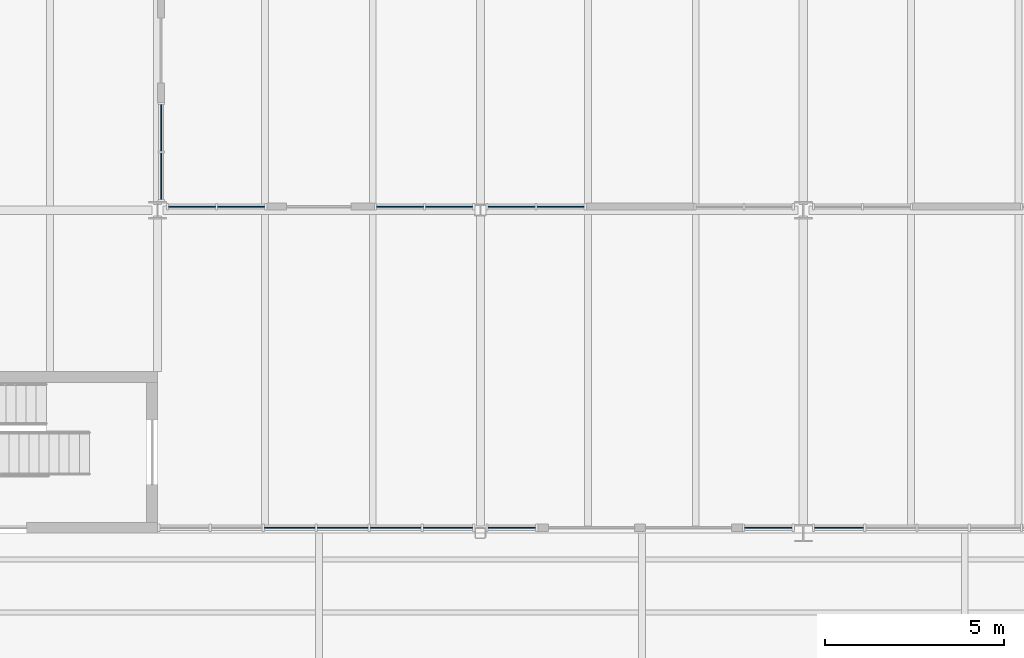
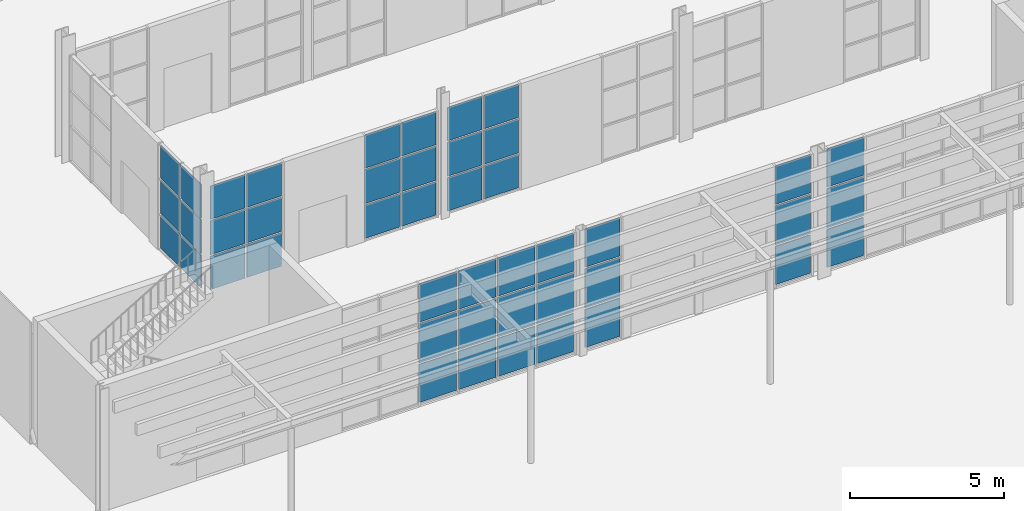
# One storey, part 29 of 63: 45 plates, 8 elements without a shape of their own.
"""IFC4 building model written with IfcOpenShell, lengths in metres."""

from ifc_helpers import new_model, si_unit, direction, frame, origin, origin_2d, place, context, subcontext, project, spatial, rectangle, extrude, material, layer, layer_set, type_object, element, aggregate, save


model = new_model("IFC4")

# Units and contexts
model_context = context("Model", 3, precision=1e-05, world=origin(), true_north=direction((0.0, 1.0)))
body_context = subcontext(model_context, "Body", "Model", "MODEL_VIEW")
ifc_project = project(units=[si_unit("LENGTHUNIT", "METRE"), si_unit("AREAUNIT", "SQUARE_METRE"), si_unit("VOLUMEUNIT", "CUBIC_METRE"), si_unit("PLANEANGLEUNIT", "RADIAN"), si_unit("MASSUNIT", "GRAM", prefix="KILO")], contexts=[model_context])

# Site, building, storey
site_placement = place(None, origin())
site = spatial("IfcSite", under=ifc_project, at=site_placement, CompositionType="ELEMENT")
building_placement = place(site_placement, origin())
building = spatial("IfcBuilding", under=site, at=building_placement, Name="Halyard Row Museum", CompositionType="ELEMENT")
storey_placement = place(building_placement, origin())
storey = spatial("IfcBuildingStorey", under=building, at=storey_placement, Name="L00", CompositionType="ELEMENT", Elevation=0.0)

# Curtain wall, plates
ifc_material_1 = material(Name="Double glazed unit, low-emissivity", Category="glass")
ifc_layer_1 = layer(ifc_material_1, 0.199951171875)
ifc_layer_set_1 = layer_set([ifc_layer_1], Name="Double glazed unit, low-emissivity")
curtain_wall_type_1 = type_object("IfcCurtainWallType", Name="Curtain wall shopfront 200 deep", PredefinedType="NOTDEFINED", material=ifc_layer_set_1)
curtain_wall_1_placement = place(storey_placement, origin())
curtain_wall_1 = element("IfcCurtainWall", 1, at=curtain_wall_1_placement, inside=storey, type_object=curtain_wall_type_1, Name="Curtain wall CW013", PredefinedType="NOTDEFINED")
ifc_material_2 = material(Name="Double glazed unit, low-emissivity", Category="glass")
ifc_layer_2 = layer(ifc_material_2, 0.031982421875)
ifc_layer_set_2 = layer_set([ifc_layer_2], Name="Double glazed unit, low-emissivity")
plate_type_1 = type_object("IfcPlateType", Name="Curtain wall glazed panel CP1 32", PredefinedType="CURTAIN_PANEL", material=ifc_layer_set_2)
plate_1_placement = place(storey_placement, frame((39.6875, 18.14990234375, 0.06494140625), z_axis=(0.0, 0.0, 1.0), x_axis=(1.0, 0.0, 0.0)))
plate_1 = element("IfcPlate", 2, at=plate_1_placement, type_object=plate_type_1, Name="CW013 panel 3.1", PredefinedType="CURTAIN_PANEL", context=body_context, shape_type="SweptSolid", body=[
    extrude(rectangle(XDim=1.409912109375, YDim=0.031982421875, at=origin_2d()), origin(), (0.0, 0.0, 1.0), 1.51416015625),
])
plate_2_placement = place(storey_placement, frame((39.6875, 18.14990234375, 1.64404296875), z_axis=(0.0, 0.0, 1.0), x_axis=(1.0, 0.0, 0.0)))
plate_2 = element("IfcPlate", 3, at=plate_2_placement, type_object=plate_type_1, Name="CW013 panel 3.2", PredefinedType="CURTAIN_PANEL", context=body_context, shape_type="SweptSolid", body=[
    extrude(rectangle(XDim=1.409912109375, YDim=0.031982421875, at=origin_2d()), origin(), (0.0, 0.0, 1.0), 1.546630859375),
])
plate_3_placement = place(storey_placement, frame((39.6875, 18.14990234375, 3.255859375), z_axis=(0.0, 0.0, 1.0), x_axis=(1.0, 0.0, 0.0)))
plate_3 = element("IfcPlate", 4, at=plate_3_placement, type_object=plate_type_1, Name="CW013 panel 3.3", PredefinedType="CURTAIN_PANEL", context=body_context, shape_type="SweptSolid", body=[
    extrude(rectangle(XDim=1.409912109375, YDim=0.031982421875, at=origin_2d()), origin(), (0.0, 0.0, 1.0), 1.51416015625),
])
plate_4_placement = place(storey_placement, frame((41.16259765625, 18.14990234375, 0.06494140625), z_axis=(0.0, 0.0, 1.0), x_axis=(1.0, 0.0, 0.0)))
plate_4 = element("IfcPlate", 5, at=plate_4_placement, type_object=plate_type_1, Name="CW013 panel 4.1", PredefinedType="CURTAIN_PANEL", context=body_context, shape_type="SweptSolid", body=[
    extrude(rectangle(XDim=1.409912109375, YDim=0.031982421875, at=origin_2d()), origin(), (0.0, 0.0, 1.0), 1.51416015625),
])
plate_5_placement = place(storey_placement, frame((41.16259765625, 18.14990234375, 1.64404296875), z_axis=(0.0, 0.0, 1.0), x_axis=(1.0, 0.0, 0.0)))
plate_5 = element("IfcPlate", 6, at=plate_5_placement, type_object=plate_type_1, Name="CW013 panel 4.2", PredefinedType="CURTAIN_PANEL", context=body_context, shape_type="SweptSolid", body=[
    extrude(rectangle(XDim=1.409912109375, YDim=0.031982421875, at=origin_2d()), origin(), (0.0, 0.0, 1.0), 1.546630859375),
])
plate_6_placement = place(storey_placement, frame((41.16259765625, 18.14990234375, 3.255859375), z_axis=(0.0, 0.0, 1.0), x_axis=(1.0, 0.0, 0.0)))
plate_6 = element("IfcPlate", 7, at=plate_6_placement, type_object=plate_type_1, Name="CW013 panel 4.3", PredefinedType="CURTAIN_PANEL", context=body_context, shape_type="SweptSolid", body=[
    extrude(rectangle(XDim=1.409912109375, YDim=0.031982421875, at=origin_2d()), origin(), (0.0, 0.0, 1.0), 1.51416015625),
])
plate_7_placement = place(storey_placement, frame((42.637451171875, 18.14990234375, 0.06494140625), z_axis=(0.0, 0.0, 1.0), x_axis=(1.0, 0.0, 0.0)))
plate_7 = element("IfcPlate", 8, at=plate_7_placement, type_object=plate_type_1, Name="CW013 panel 5.1", PredefinedType="CURTAIN_PANEL", context=body_context, shape_type="SweptSolid", body=[
    extrude(rectangle(XDim=1.409912109375, YDim=0.031982421875, at=origin_2d()), origin(), (0.0, 0.0, 1.0), 1.51416015625),
])
plate_8_placement = place(storey_placement, frame((42.637451171875, 18.14990234375, 1.64404296875), z_axis=(0.0, 0.0, 1.0), x_axis=(1.0, 0.0, 0.0)))
plate_8 = element("IfcPlate", 9, at=plate_8_placement, type_object=plate_type_1, Name="CW013 panel 5.2", PredefinedType="CURTAIN_PANEL", context=body_context, shape_type="SweptSolid", body=[
    extrude(rectangle(XDim=1.409912109375, YDim=0.031982421875, at=origin_2d()), origin(), (0.0, 0.0, 1.0), 1.546630859375),
])
plate_9_placement = place(storey_placement, frame((42.637451171875, 18.14990234375, 3.255859375), z_axis=(0.0, 0.0, 1.0), x_axis=(1.0, 0.0, 0.0)))
plate_9 = element("IfcPlate", 10, at=plate_9_placement, type_object=plate_type_1, Name="CW013 panel 5.3", PredefinedType="CURTAIN_PANEL", context=body_context, shape_type="SweptSolid", body=[
    extrude(rectangle(XDim=1.409912109375, YDim=0.031982421875, at=origin_2d()), origin(), (0.0, 0.0, 1.0), 1.51416015625),
])
plate_10_placement = place(storey_placement, frame((44.09619140625, 18.14990234375, 0.06494140625), z_axis=(0.0, 0.0, 1.0), x_axis=(1.0, 0.0, 0.0)))
plate_10 = element("IfcPlate", 11, at=plate_10_placement, type_object=plate_type_1, Name="CW013 panel 6.1", PredefinedType="CURTAIN_PANEL", context=body_context, shape_type="SweptSolid", body=[
    extrude(rectangle(XDim=1.37744140625, YDim=0.031982421875, at=origin_2d()), origin(), (0.0, 0.0, 1.0), 1.51416015625),
])
plate_11_placement = place(storey_placement, frame((44.09619140625, 18.14990234375, 1.64404296875), z_axis=(0.0, 0.0, 1.0), x_axis=(1.0, 0.0, 0.0)))
plate_11 = element("IfcPlate", 12, at=plate_11_placement, type_object=plate_type_1, Name="CW013 panel 6.2", PredefinedType="CURTAIN_PANEL", context=body_context, shape_type="SweptSolid", body=[
    extrude(rectangle(XDim=1.37744140625, YDim=0.031982421875, at=origin_2d()), origin(), (0.0, 0.0, 1.0), 1.546630859375),
])
plate_12_placement = place(storey_placement, frame((44.09619140625, 18.14990234375, 3.255859375), z_axis=(0.0, 0.0, 1.0), x_axis=(1.0, 0.0, 0.0)))
plate_12 = element("IfcPlate", 13, at=plate_12_placement, type_object=plate_type_1, Name="CW013 panel 6.3", PredefinedType="CURTAIN_PANEL", context=body_context, shape_type="SweptSolid", body=[
    extrude(rectangle(XDim=1.37744140625, YDim=0.031982421875, at=origin_2d()), origin(), (0.0, 0.0, 1.0), 1.51416015625),
])
aggregate(curtain_wall_1, [plate_1, plate_2, plate_3, plate_4, plate_5, plate_6, plate_7, plate_8, plate_9, plate_10, plate_11, plate_12])

curtain_wall_2_placement = place(storey_placement, origin())
curtain_wall_2 = element("IfcCurtainWall", 14, at=curtain_wall_2_placement, inside=storey, type_object=curtain_wall_type_1, Name="Curtain wall CW014", PredefinedType="NOTDEFINED")
plate_13_placement = place(storey_placement, frame((45.875, 18.14990234375, 0.06494140625), z_axis=(0.0, 0.0, 1.0), x_axis=(1.0, 0.0, 0.0)))
plate_13 = element("IfcPlate", 15, at=plate_13_placement, type_object=plate_type_1, Name="CW014 panel 1.1", PredefinedType="CURTAIN_PANEL", context=body_context, shape_type="SweptSolid", body=[
    extrude(rectangle(XDim=1.320068359375, YDim=0.031982421875, at=origin_2d()), origin(), (0.0, 0.0, 1.0), 1.51416015625),
])
plate_14_placement = place(storey_placement, frame((45.875, 18.14990234375, 1.64404296875), z_axis=(0.0, 0.0, 1.0), x_axis=(1.0, 0.0, 0.0)))
plate_14 = element("IfcPlate", 16, at=plate_14_placement, type_object=plate_type_1, Name="CW014 panel 1.2", PredefinedType="CURTAIN_PANEL", context=body_context, shape_type="SweptSolid", body=[
    extrude(rectangle(XDim=1.320068359375, YDim=0.031982421875, at=origin_2d()), origin(), (0.0, 0.0, 1.0), 1.546630859375),
])
plate_15_placement = place(storey_placement, frame((45.875, 18.14990234375, 3.255859375), z_axis=(0.0, 0.0, 1.0), x_axis=(1.0, 0.0, 0.0)))
plate_15 = element("IfcPlate", 17, at=plate_15_placement, type_object=plate_type_1, Name="CW014 panel 1.3", PredefinedType="CURTAIN_PANEL", context=body_context, shape_type="SweptSolid", body=[
    extrude(rectangle(XDim=1.320068359375, YDim=0.031982421875, at=origin_2d()), origin(), (0.0, 0.0, 1.0), 1.51416015625),
])
aggregate(curtain_wall_2, [plate_13, plate_14, plate_15])

curtain_wall_3_placement = place(storey_placement, origin())
curtain_wall_3 = element("IfcCurtainWall", 18, at=curtain_wall_3_placement, inside=storey, type_object=curtain_wall_type_1, Name="Curtain wall CW015", PredefinedType="NOTDEFINED")
plate_16_placement = place(storey_placement, frame((53.02490234375, 18.14990234375, 0.06494140625), z_axis=(0.0, 0.0, 1.0), x_axis=(1.0, 0.0, 0.0)))
plate_16 = element("IfcPlate", 19, at=plate_16_placement, type_object=plate_type_1, Name="CW015 panel 1.1", PredefinedType="CURTAIN_PANEL", context=body_context, shape_type="SweptSolid", body=[
    extrude(rectangle(XDim=1.320068359375, YDim=0.031982421875, at=origin_2d()), origin(), (0.0, 0.0, 1.0), 1.51416015625),
])
plate_17_placement = place(storey_placement, frame((53.02490234375, 18.14990234375, 1.64404296875), z_axis=(0.0, 0.0, 1.0), x_axis=(1.0, 0.0, 0.0)))
plate_17 = element("IfcPlate", 20, at=plate_17_placement, type_object=plate_type_1, Name="CW015 panel 1.2", PredefinedType="CURTAIN_PANEL", context=body_context, shape_type="SweptSolid", body=[
    extrude(rectangle(XDim=1.320068359375, YDim=0.031982421875, at=origin_2d()), origin(), (0.0, 0.0, 1.0), 1.546630859375),
])
plate_18_placement = place(storey_placement, frame((53.02490234375, 18.14990234375, 3.255859375), z_axis=(0.0, 0.0, 1.0), x_axis=(1.0, 0.0, 0.0)))
plate_18 = element("IfcPlate", 21, at=plate_18_placement, type_object=plate_type_1, Name="CW015 panel 1.3", PredefinedType="CURTAIN_PANEL", context=body_context, shape_type="SweptSolid", body=[
    extrude(rectangle(XDim=1.320068359375, YDim=0.031982421875, at=origin_2d()), origin(), (0.0, 0.0, 1.0), 1.51416015625),
])
aggregate(curtain_wall_3, [plate_16, plate_17, plate_18])

curtain_wall_4_placement = place(storey_placement, origin())
curtain_wall_4 = element("IfcCurtainWall", 22, at=curtain_wall_4_placement, inside=storey, type_object=curtain_wall_type_1, Name="Curtain wall CW016", PredefinedType="NOTDEFINED")
plate_19_placement = place(storey_placement, frame((54.995361328125, 18.14990234375, 0.06494140625), z_axis=(0.0, 0.0, 1.0), x_axis=(1.0, 0.0, 0.0)))
plate_19 = element("IfcPlate", 23, at=plate_19_placement, type_object=plate_type_1, Name="CW016 panel 1.1", PredefinedType="CURTAIN_PANEL", context=body_context, shape_type="SweptSolid", body=[
    extrude(rectangle(XDim=1.36083984375, YDim=0.031982421875, at=origin_2d()), origin(), (0.0, 0.0, 1.0), 1.51416015625),
])
plate_20_placement = place(storey_placement, frame((54.995361328125, 18.14990234375, 1.64404296875), z_axis=(0.0, 0.0, 1.0), x_axis=(1.0, 0.0, 0.0)))
plate_20 = element("IfcPlate", 24, at=plate_20_placement, type_object=plate_type_1, Name="CW016 panel 1.2", PredefinedType="CURTAIN_PANEL", context=body_context, shape_type="SweptSolid", body=[
    extrude(rectangle(XDim=1.36083984375, YDim=0.031982421875, at=origin_2d()), origin(), (0.0, 0.0, 1.0), 1.546630859375),
])
plate_21_placement = place(storey_placement, frame((54.995361328125, 18.14990234375, 3.255859375), z_axis=(0.0, 0.0, 1.0), x_axis=(1.0, 0.0, 0.0)))
plate_21 = element("IfcPlate", 25, at=plate_21_placement, type_object=plate_type_1, Name="CW016 panel 1.3", PredefinedType="CURTAIN_PANEL", context=body_context, shape_type="SweptSolid", body=[
    extrude(rectangle(XDim=1.36083984375, YDim=0.031982421875, at=origin_2d()), origin(), (0.0, 0.0, 1.0), 1.51416015625),
])
aggregate(curtain_wall_4, [plate_19, plate_20, plate_21])

ifc_material_3 = material(Name="Double glazed unit, low-emissivity", Category="glass")
ifc_layer_3 = layer(ifc_material_3, 0.179931640625)
ifc_layer_set_3 = layer_set([ifc_layer_3], Name="Double glazed unit, low-emissivity")
curtain_wall_type_2 = type_object("IfcCurtainWallType", Name="Curtain wall stick 180 deep", PredefinedType="NOTDEFINED", material=ifc_layer_set_3)
curtain_wall_5_placement = place(storey_placement, origin())
curtain_wall_5 = element("IfcCurtainWall", 26, at=curtain_wall_5_placement, inside=storey, type_object=curtain_wall_type_2, Name="Curtain wall CW120", PredefinedType="NOTDEFINED")
ifc_material_4 = material(Name="Double glazed unit, low-emissivity", Category="glass")
ifc_layer_4 = layer(ifc_material_4, 0.028076171875)
ifc_layer_set_4 = layer_set([ifc_layer_4], Name="Double glazed unit, low-emissivity")
plate_type_2 = type_object("IfcPlateType", Name="Curtain wall glazed panel CP2 28", PredefinedType="CURTAIN_PANEL", material=ifc_layer_set_4)
plate_22_placement = place(storey_placement, frame((36.96435546875, 27.10009765625, 0.06005859375), z_axis=(0.0, 0.0, 1.0), x_axis=(1.0, 0.0, 0.0)))
plate_22 = element("IfcPlate", 27, at=plate_22_placement, type_object=plate_type_2, Name="CW120 panel 1.1", PredefinedType="CURTAIN_PANEL", context=body_context, shape_type="SweptSolid", body=[
    extrude(rectangle(XDim=1.308837890625, YDim=0.028076171875, at=origin_2d()), origin(), (0.0, 0.0, 1.0), 1.3193359375),
])
plate_23_placement = place(storey_placement, frame((36.96435546875, 27.10009765625, 1.439453125), z_axis=(0.0, 0.0, 1.0), x_axis=(1.0, 0.0, 0.0)))
plate_23 = element("IfcPlate", 28, at=plate_23_placement, type_object=plate_type_2, Name="CW120 panel 1.2", PredefinedType="CURTAIN_PANEL", context=body_context, shape_type="SweptSolid", body=[
    extrude(rectangle(XDim=1.308837890625, YDim=0.028076171875, at=origin_2d()), origin(), (0.0, 0.0, 1.0), 1.349365234375),
])
plate_24_placement = place(storey_placement, frame((36.96435546875, 27.10009765625, 2.8486328125), z_axis=(0.0, 0.0, 1.0), x_axis=(1.0, 0.0, 0.0)))
plate_24 = element("IfcPlate", 29, at=plate_24_placement, type_object=plate_type_2, Name="CW120 panel 1.3", PredefinedType="CURTAIN_PANEL", context=body_context, shape_type="SweptSolid", body=[
    extrude(rectangle(XDim=1.308837890625, YDim=0.028076171875, at=origin_2d()), origin(), (0.0, 0.0, 1.0), 1.3193359375),
])
plate_25_placement = place(storey_placement, frame((38.333251953125, 27.10009765625, 0.06005859375), z_axis=(0.0, 0.0, 1.0), x_axis=(1.0, 0.0, 0.0)))
plate_25 = element("IfcPlate", 30, at=plate_25_placement, type_object=plate_type_2, Name="CW120 panel 2.1", PredefinedType="CURTAIN_PANEL", context=body_context, shape_type="SweptSolid", body=[
    extrude(rectangle(XDim=1.308837890625, YDim=0.028076171875, at=origin_2d()), origin(), (0.0, 0.0, 1.0), 1.3193359375),
])
plate_26_placement = place(storey_placement, frame((38.333251953125, 27.10009765625, 1.439453125), z_axis=(0.0, 0.0, 1.0), x_axis=(1.0, 0.0, 0.0)))
plate_26 = element("IfcPlate", 31, at=plate_26_placement, type_object=plate_type_2, Name="CW120 panel 2.2", PredefinedType="CURTAIN_PANEL", context=body_context, shape_type="SweptSolid", body=[
    extrude(rectangle(XDim=1.308837890625, YDim=0.028076171875, at=origin_2d()), origin(), (0.0, 0.0, 1.0), 1.349365234375),
])
plate_27_placement = place(storey_placement, frame((38.333251953125, 27.10009765625, 2.8486328125), z_axis=(0.0, 0.0, 1.0), x_axis=(1.0, 0.0, 0.0)))
plate_27 = element("IfcPlate", 32, at=plate_27_placement, type_object=plate_type_2, Name="CW120 panel 2.3", PredefinedType="CURTAIN_PANEL", context=body_context, shape_type="SweptSolid", body=[
    extrude(rectangle(XDim=1.308837890625, YDim=0.028076171875, at=origin_2d()), origin(), (0.0, 0.0, 1.0), 1.3193359375),
])
aggregate(curtain_wall_5, [plate_22, plate_23, plate_24, plate_25, plate_26, plate_27])

curtain_wall_6_placement = place(storey_placement, origin())
curtain_wall_6 = element("IfcCurtainWall", 33, at=curtain_wall_6_placement, inside=storey, type_object=curtain_wall_type_2, Name="Curtain wall CW121", PredefinedType="NOTDEFINED")
plate_28_placement = place(storey_placement, frame((42.76220703125, 27.10009765625, 0.06005859375), z_axis=(0.0, 0.0, 1.0), x_axis=(1.0, 0.0, 0.0)))
plate_28 = element("IfcPlate", 34, at=plate_28_placement, type_object=plate_type_2, Name="CW121 panel 1.1", PredefinedType="CURTAIN_PANEL", context=body_context, shape_type="SweptSolid", body=[
    extrude(rectangle(XDim=1.308837890625, YDim=0.028076171875, at=origin_2d()), origin(), (0.0, 0.0, 1.0), 1.3193359375),
])
plate_29_placement = place(storey_placement, frame((42.76220703125, 27.10009765625, 1.439453125), z_axis=(0.0, 0.0, 1.0), x_axis=(1.0, 0.0, 0.0)))
plate_29 = element("IfcPlate", 35, at=plate_29_placement, type_object=plate_type_2, Name="CW121 panel 1.2", PredefinedType="CURTAIN_PANEL", context=body_context, shape_type="SweptSolid", body=[
    extrude(rectangle(XDim=1.308837890625, YDim=0.028076171875, at=origin_2d()), origin(), (0.0, 0.0, 1.0), 1.349365234375),
])
plate_30_placement = place(storey_placement, frame((42.76220703125, 27.10009765625, 2.8486328125), z_axis=(0.0, 0.0, 1.0), x_axis=(1.0, 0.0, 0.0)))
plate_30 = element("IfcPlate", 36, at=plate_30_placement, type_object=plate_type_2, Name="CW121 panel 1.3", PredefinedType="CURTAIN_PANEL", context=body_context, shape_type="SweptSolid", body=[
    extrude(rectangle(XDim=1.308837890625, YDim=0.028076171875, at=origin_2d()), origin(), (0.0, 0.0, 1.0), 1.3193359375),
])
plate_31_placement = place(storey_placement, frame((44.131103515625, 27.10009765625, 0.06005859375), z_axis=(0.0, 0.0, 1.0), x_axis=(1.0, 0.0, 0.0)))
plate_31 = element("IfcPlate", 37, at=plate_31_placement, type_object=plate_type_2, Name="CW121 panel 2.1", PredefinedType="CURTAIN_PANEL", context=body_context, shape_type="SweptSolid", body=[
    extrude(rectangle(XDim=1.308837890625, YDim=0.028076171875, at=origin_2d()), origin(), (0.0, 0.0, 1.0), 1.3193359375),
])
plate_32_placement = place(storey_placement, frame((44.131103515625, 27.10009765625, 1.439453125), z_axis=(0.0, 0.0, 1.0), x_axis=(1.0, 0.0, 0.0)))
plate_32 = element("IfcPlate", 38, at=plate_32_placement, type_object=plate_type_2, Name="CW121 panel 2.2", PredefinedType="CURTAIN_PANEL", context=body_context, shape_type="SweptSolid", body=[
    extrude(rectangle(XDim=1.308837890625, YDim=0.028076171875, at=origin_2d()), origin(), (0.0, 0.0, 1.0), 1.349365234375),
])
plate_33_placement = place(storey_placement, frame((44.131103515625, 27.10009765625, 2.8486328125), z_axis=(0.0, 0.0, 1.0), x_axis=(1.0, 0.0, 0.0)))
plate_33 = element("IfcPlate", 39, at=plate_33_placement, type_object=plate_type_2, Name="CW121 panel 2.3", PredefinedType="CURTAIN_PANEL", context=body_context, shape_type="SweptSolid", body=[
    extrude(rectangle(XDim=1.308837890625, YDim=0.028076171875, at=origin_2d()), origin(), (0.0, 0.0, 1.0), 1.3193359375),
])
aggregate(curtain_wall_6, [plate_28, plate_29, plate_30, plate_31, plate_32, plate_33])

curtain_wall_7_placement = place(storey_placement, origin())
curtain_wall_7 = element("IfcCurtainWall", 40, at=curtain_wall_7_placement, inside=storey, type_object=curtain_wall_type_2, Name="Curtain wall CW122", PredefinedType="NOTDEFINED")
plate_34_placement = place(storey_placement, frame((45.868896484375, 27.10009765625, 0.06005859375), z_axis=(0.0, 0.0, 1.0), x_axis=(1.0, 0.0, 0.0)))
plate_34 = element("IfcPlate", 41, at=plate_34_placement, type_object=plate_type_2, Name="CW122 panel 1.1", PredefinedType="CURTAIN_PANEL", context=body_context, shape_type="SweptSolid", body=[
    extrude(rectangle(XDim=1.308837890625, YDim=0.028076171875, at=origin_2d()), origin(), (0.0, 0.0, 1.0), 1.3193359375),
])
plate_35_placement = place(storey_placement, frame((45.868896484375, 27.10009765625, 1.439453125), z_axis=(0.0, 0.0, 1.0), x_axis=(1.0, 0.0, 0.0)))
plate_35 = element("IfcPlate", 42, at=plate_35_placement, type_object=plate_type_2, Name="CW122 panel 1.2", PredefinedType="CURTAIN_PANEL", context=body_context, shape_type="SweptSolid", body=[
    extrude(rectangle(XDim=1.308837890625, YDim=0.028076171875, at=origin_2d()), origin(), (0.0, 0.0, 1.0), 1.349365234375),
])
plate_36_placement = place(storey_placement, frame((45.868896484375, 27.10009765625, 2.8486328125), z_axis=(0.0, 0.0, 1.0), x_axis=(1.0, 0.0, 0.0)))
plate_36 = element("IfcPlate", 43, at=plate_36_placement, type_object=plate_type_2, Name="CW122 panel 1.3", PredefinedType="CURTAIN_PANEL", context=body_context, shape_type="SweptSolid", body=[
    extrude(rectangle(XDim=1.308837890625, YDim=0.028076171875, at=origin_2d()), origin(), (0.0, 0.0, 1.0), 1.3193359375),
])
plate_37_placement = place(storey_placement, frame((47.23779296875, 27.10009765625, 0.06005859375), z_axis=(0.0, 0.0, 1.0), x_axis=(1.0, 0.0, 0.0)))
plate_37 = element("IfcPlate", 44, at=plate_37_placement, type_object=plate_type_2, Name="CW122 panel 2.1", PredefinedType="CURTAIN_PANEL", context=body_context, shape_type="SweptSolid", body=[
    extrude(rectangle(XDim=1.308837890625, YDim=0.028076171875, at=origin_2d()), origin(), (0.0, 0.0, 1.0), 1.3193359375),
])
plate_38_placement = place(storey_placement, frame((47.23779296875, 27.10009765625, 1.439453125), z_axis=(0.0, 0.0, 1.0), x_axis=(1.0, 0.0, 0.0)))
plate_38 = element("IfcPlate", 45, at=plate_38_placement, type_object=plate_type_2, Name="CW122 panel 2.2", PredefinedType="CURTAIN_PANEL", context=body_context, shape_type="SweptSolid", body=[
    extrude(rectangle(XDim=1.308837890625, YDim=0.028076171875, at=origin_2d()), origin(), (0.0, 0.0, 1.0), 1.349365234375),
])
plate_39_placement = place(storey_placement, frame((47.23779296875, 27.10009765625, 2.8486328125), z_axis=(0.0, 0.0, 1.0), x_axis=(1.0, 0.0, 0.0)))
plate_39 = element("IfcPlate", 46, at=plate_39_placement, type_object=plate_type_2, Name="CW122 panel 2.3", PredefinedType="CURTAIN_PANEL", context=body_context, shape_type="SweptSolid", body=[
    extrude(rectangle(XDim=1.308837890625, YDim=0.028076171875, at=origin_2d()), origin(), (0.0, 0.0, 1.0), 1.3193359375),
])
aggregate(curtain_wall_7, [plate_34, plate_35, plate_36, plate_37, plate_38, plate_39])

curtain_wall_8_placement = place(storey_placement, origin())
curtain_wall_8 = element("IfcCurtainWall", 47, at=curtain_wall_8_placement, inside=storey, type_object=curtain_wall_type_2, Name="Curtain wall CW126", PredefinedType="NOTDEFINED")
plate_40_placement = place(storey_placement, frame((36.10009765625, 27.945068359375, 0.06005859375), z_axis=(0.0, 0.0, 1.0), x_axis=(0.0, 1.0, 0.0)))
plate_40 = element("IfcPlate", 48, at=plate_40_placement, type_object=plate_type_2, Name="CW126 panel 1.1", PredefinedType="CURTAIN_PANEL", context=body_context, shape_type="SweptSolid", body=[
    extrude(rectangle(XDim=1.2900390625, YDim=0.028076171875, at=origin_2d()), origin(), (0.0, 0.0, 1.0), 1.3193359375),
])
plate_41_placement = place(storey_placement, frame((36.10009765625, 27.945068359375, 1.439453125), z_axis=(0.0, 0.0, 1.0), x_axis=(0.0, 1.0, 0.0)))
plate_41 = element("IfcPlate", 49, at=plate_41_placement, type_object=plate_type_2, Name="CW126 panel 1.2", PredefinedType="CURTAIN_PANEL", context=body_context, shape_type="SweptSolid", body=[
    extrude(rectangle(XDim=1.2900390625, YDim=0.028076171875, at=origin_2d()), origin(), (0.0, 0.0, 1.0), 1.349365234375),
])
plate_42_placement = place(storey_placement, frame((36.10009765625, 27.945068359375, 2.8486328125), z_axis=(0.0, 0.0, 1.0), x_axis=(0.0, 1.0, 0.0)))
plate_42 = element("IfcPlate", 50, at=plate_42_placement, type_object=plate_type_2, Name="CW126 panel 1.3", PredefinedType="CURTAIN_PANEL", context=body_context, shape_type="SweptSolid", body=[
    extrude(rectangle(XDim=1.2900390625, YDim=0.028076171875, at=origin_2d()), origin(), (0.0, 0.0, 1.0), 1.3193359375),
])
plate_43_placement = place(storey_placement, frame((36.10009765625, 29.294921875, 0.06005859375), z_axis=(0.0, 0.0, 1.0), x_axis=(0.0, 1.0, 0.0)))
plate_43 = element("IfcPlate", 51, at=plate_43_placement, type_object=plate_type_2, Name="CW126 panel 2.1", PredefinedType="CURTAIN_PANEL", context=body_context, shape_type="SweptSolid", body=[
    extrude(rectangle(XDim=1.2900390625, YDim=0.028076171875, at=origin_2d()), origin(), (0.0, 0.0, 1.0), 1.3193359375),
])
plate_44_placement = place(storey_placement, frame((36.10009765625, 29.294921875, 1.439453125), z_axis=(0.0, 0.0, 1.0), x_axis=(0.0, 1.0, 0.0)))
plate_44 = element("IfcPlate", 52, at=plate_44_placement, type_object=plate_type_2, Name="CW126 panel 2.2", PredefinedType="CURTAIN_PANEL", context=body_context, shape_type="SweptSolid", body=[
    extrude(rectangle(XDim=1.2900390625, YDim=0.028076171875, at=origin_2d()), origin(), (0.0, 0.0, 1.0), 1.349365234375),
])
plate_45_placement = place(storey_placement, frame((36.10009765625, 29.294921875, 2.8486328125), z_axis=(0.0, 0.0, 1.0), x_axis=(0.0, 1.0, 0.0)))
plate_45 = element("IfcPlate", 53, at=plate_45_placement, type_object=plate_type_2, Name="CW126 panel 2.3", PredefinedType="CURTAIN_PANEL", context=body_context, shape_type="SweptSolid", body=[
    extrude(rectangle(XDim=1.2900390625, YDim=0.028076171875, at=origin_2d()), origin(), (0.0, 0.0, 1.0), 1.3193359375),
])
aggregate(curtain_wall_8, [plate_40, plate_41, plate_42, plate_43, plate_44, plate_45])

save(model, "model.ifc")
